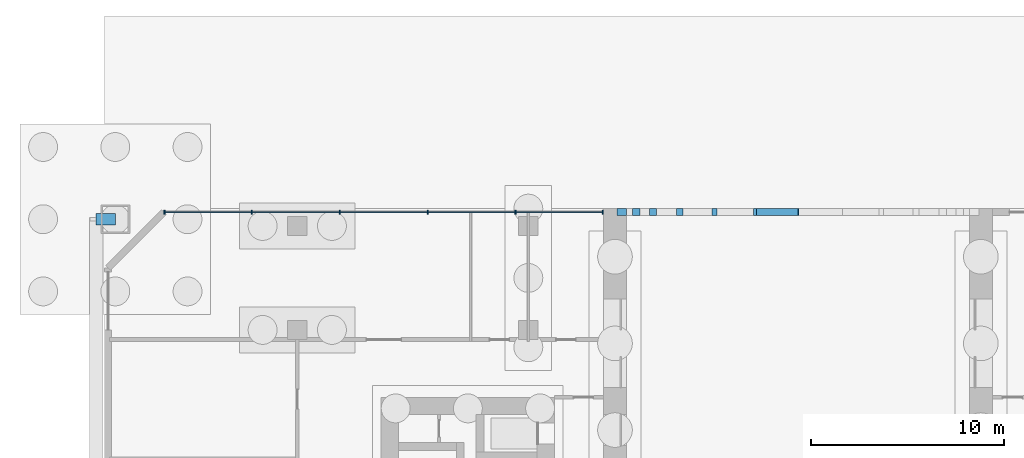
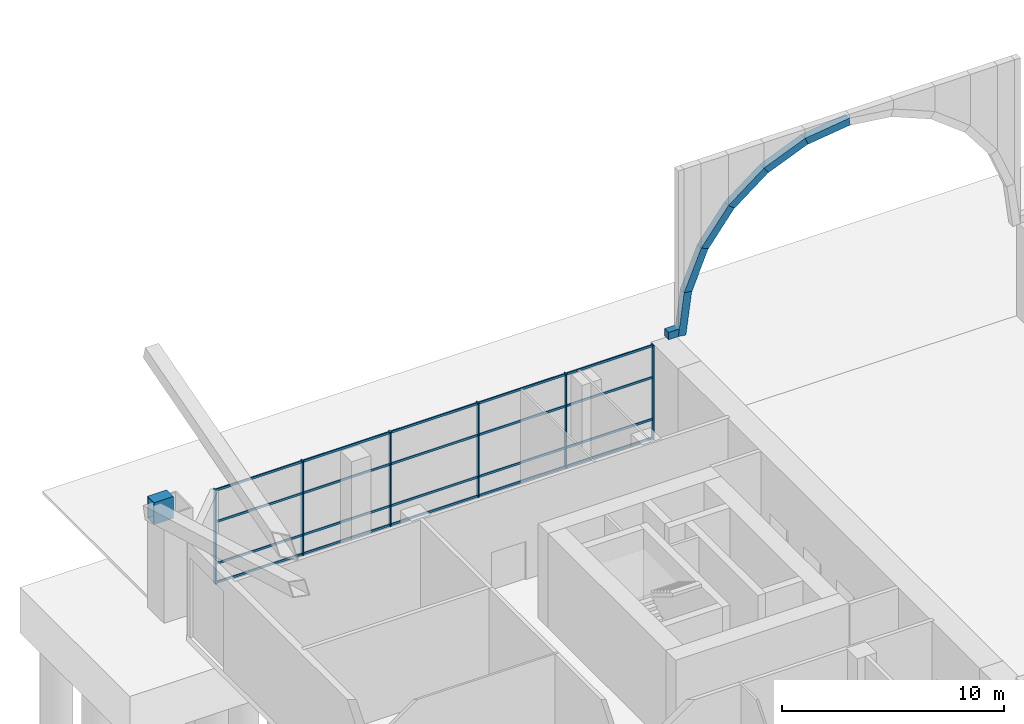
# One storey, part 6 of 26: 26 members, 8 beams, 1 element without a shape of its own.
"""IFC4 building model written with IfcOpenShell, lengths in metres."""

from ifc_helpers import new_model, si_unit, direction, frame, origin, origin_2d, place, context, subcontext, project, spatial, rectangle, hollow_rectangle, extrude, material, material_profile, profile_set, type_object, element, aggregate, save


model = new_model("IFC4")

# Units and contexts
model_context = context("Model", 3, precision=1e-05, world=origin(), true_north=direction((0.0, 1.0)))
body_context = subcontext(model_context, "Body", "Model", "MODEL_VIEW")
ifc_project = project(units=[si_unit("LENGTHUNIT", "METRE"), si_unit("AREAUNIT", "SQUARE_METRE"), si_unit("VOLUMEUNIT", "CUBIC_METRE"), si_unit("PLANEANGLEUNIT", "RADIAN"), si_unit("MASSUNIT", "GRAM", prefix="KILO")], contexts=[model_context])

# Site, building, storey
site_placement = place(None, origin())
site = spatial("IfcSite", under=ifc_project, at=site_placement, CompositionType="ELEMENT")
building_placement = place(site_placement, origin())
building = spatial("IfcBuilding", under=site, at=building_placement, Name="Tuart Gate Housing", CompositionType="ELEMENT")
storey_placement = place(building_placement, origin())
storey = spatial("IfcBuildingStorey", under=building, at=storey_placement, Name="L00", CompositionType="ELEMENT", Elevation=0.0)

# Beam
ifc_material_1 = material(Name="Steel Grade 350", Category="steel")
ifc_material_profile_1 = material_profile(ifc_material_1, hollow_rectangle(XDim=0.60009765625, YDim=1.199951171875, WallThickness=0.0400390625, at=origin_2d()), Name="BOX 1200x600x40")
ifc_profile_set_1 = profile_set([ifc_material_profile_1], Name="Steel Grade 350")
beam_type_1 = type_object("IfcBeamType", Name="Brace shoe BOX 1200x600x40", PredefinedType="BEAM", material=ifc_profile_set_1)
beam_1_placement = place(storey_placement, frame((18.550048828125, 85.449951171875, 5.5), z_axis=(-1.0, 0.0, 0.0), x_axis=(0.0, -1.0, 0.0)))
element("IfcBeam", 1, at=beam_1_placement, inside=storey, type_object=beam_type_1, Name="Mega brace shoe A zone 0 west cross 2", PredefinedType="BEAM", context=body_context, shape_type="SweptSolid", body=[
    extrude(hollow_rectangle(XDim=0.60009765625, YDim=1.199951171875, WallThickness=0.0400390625, at=origin_2d()), origin(), (0.0, 0.0, 1.0), 1.0),
])

# Curtain wall, members
ifc_material_2 = material(Name="Aluminium and clear glass", Category="aluminium")
curtain_wall_type = type_object("IfcCurtainWallType", Name="Ground storey glazing", PredefinedType="USERDEFINED", material=ifc_material_2)
curtain_wall_placement = place(storey_placement, origin())
curtain_wall = element("IfcCurtainWall", 2, at=curtain_wall_placement, inside=storey, type_object=curtain_wall_type, Name="Ground storey glazing A-N L00", ObjectType="GROUND STOREY GLAZING", PredefinedType="USERDEFINED")
ifc_material_3 = material(Name="Anodised aluminium", Category="aluminium")
ifc_material_profile_2 = material_profile(ifc_material_3, rectangle(XDim=0.06005859375, YDim=0.199951171875, at=origin_2d()), Name="60x200")
ifc_profile_set_2 = profile_set([ifc_material_profile_2], Name="Anodised aluminium")
member_type_1 = type_object("IfcMemberType", Name="Mullion 60 x 200", PredefinedType="MULLION", material=ifc_profile_set_2)
member_1_placement = place(storey_placement, frame((43.8701171875, 85.820068359375, 0.0), z_axis=(0.0, 0.0, 1.0), x_axis=(-1.0, 0.0, 0.0)))
member_1 = element("IfcMember", 3, at=member_1_placement, type_object=member_type_1, Name="CW2 mullion 1", PredefinedType="MULLION", context=body_context, shape_type="SweptSolid", body=[
    extrude(rectangle(XDim=0.06005859375, YDim=0.199951171875, at=origin_2d()), origin(), (0.0, 0.0, 1.0), 5.199951171875),
])
member_2_placement = place(storey_placement, frame((39.3349609375, 85.820068359375, 0.0), z_axis=(0.0, 0.0, 1.0), x_axis=(-1.0, 0.0, 0.0)))
member_2 = element("IfcMember", 4, at=member_2_placement, type_object=member_type_1, Name="CW2 mullion 2", PredefinedType="MULLION", context=body_context, shape_type="SweptSolid", body=[
    extrude(rectangle(XDim=0.06005859375, YDim=0.199951171875, at=origin_2d()), origin(), (0.0, 0.0, 1.0), 5.199951171875),
])
member_3_placement = place(storey_placement, frame((34.769775390625, 85.820068359375, 0.0), z_axis=(0.0, 0.0, 1.0), x_axis=(-1.0, 0.0, 0.0)))
member_3 = element("IfcMember", 5, at=member_3_placement, type_object=member_type_1, Name="CW2 mullion 3", PredefinedType="MULLION", context=body_context, shape_type="SweptSolid", body=[
    extrude(rectangle(XDim=0.06005859375, YDim=0.199951171875, at=origin_2d()), origin(), (0.0, 0.0, 1.0), 5.199951171875),
])
member_4_placement = place(storey_placement, frame((30.20458984375, 85.820068359375, 0.0), z_axis=(0.0, 0.0, 1.0), x_axis=(-1.0, 0.0, 0.0)))
member_4 = element("IfcMember", 6, at=member_4_placement, type_object=member_type_1, Name="CW2 mullion 4", PredefinedType="MULLION", context=body_context, shape_type="SweptSolid", body=[
    extrude(rectangle(XDim=0.06005859375, YDim=0.199951171875, at=origin_2d()), origin(), (0.0, 0.0, 1.0), 5.199951171875),
])
member_5_placement = place(storey_placement, frame((25.6396484375, 85.820068359375, 0.0), z_axis=(0.0, 0.0, 1.0), x_axis=(-1.0, 0.0, 0.0)))
member_5 = element("IfcMember", 7, at=member_5_placement, type_object=member_type_1, Name="CW2 mullion 5", PredefinedType="MULLION", context=body_context, shape_type="SweptSolid", body=[
    extrude(rectangle(XDim=0.06005859375, YDim=0.199951171875, at=origin_2d()), origin(), (0.0, 0.0, 1.0), 5.199951171875),
])
member_6_placement = place(storey_placement, frame((21.1044921875, 85.820068359375, 0.0), z_axis=(0.0, 0.0, 1.0), x_axis=(-1.0, 0.0, 0.0)))
member_6 = element("IfcMember", 8, at=member_6_placement, type_object=member_type_1, Name="CW2 mullion 6", PredefinedType="MULLION", context=body_context, shape_type="SweptSolid", body=[
    extrude(rectangle(XDim=0.06005859375, YDim=0.199951171875, at=origin_2d()), origin(), (0.0, 0.0, 1.0), 5.199951171875),
])

# Beams
ifc_material_4 = material(Name="Concrete C50", Category="concrete")
ifc_material_profile_3 = material_profile(ifc_material_4, rectangle(XDim=0.360107421875, YDim=0.39990234375, at=origin_2d()), Name="RC arch ring 360 x 400")
ifc_profile_set_3 = profile_set([ifc_material_profile_3], Name="Concrete C50")
beam_type_2 = type_object("IfcBeamType", Name="RC arch ring 360 x 400", PredefinedType="BEAM", material=ifc_profile_set_3)
for number, where, z_axis, x_axis, name in (
    (9, (45.29833984375, 85.820068359375, 5.27392578125), (0.130511595593, 0.0, 0.991446782947), (0.0, 1.0, 0.0), "Arch rib beam AN segment 0"),
    (10, (45.587890625, 85.820068359375, 7.527099609375), (0.382704452476, 0.0, 0.923870825416), (0.0, 1.0, 0.0), "Arch rib beam AN segment 1"),
):
    element("IfcBeam", number, at=place(storey_placement, frame(where, z_axis=z_axis, x_axis=x_axis)), inside=storey, type_object=beam_type_2, Name=name, PredefinedType="BEAM", context=body_context, shape_type="SweptSolid", body=[
        extrude(rectangle(XDim=0.360107421875, YDim=0.39990234375, at=origin_2d()), origin(), (0.0, 0.0, 1.0), 2.3232421875),
    ])
for number, where, z_axis, x_axis, name in (
    (11, (46.450927734375, 85.820068359375, 9.628173828125), (0.608806482168, 0.0, 0.793318767754), (0.0, 1.0, 0.0), "Arch rib beam AN segment 2"),
    (12, (47.82861328125, 85.820068359375, 11.4345703125), (0.793318767754, 0.0, 0.608806482168), (0.0, 1.0, 0.0), "Arch rib beam AN segment 3"),
):
    element("IfcBeam", number, at=place(storey_placement, frame(where, z_axis=z_axis, x_axis=x_axis)), inside=storey, type_object=beam_type_2, Name=name, PredefinedType="BEAM", context=body_context, shape_type="SweptSolid", body=[
        extrude(rectangle(XDim=0.360107421875, YDim=0.39990234375, at=origin_2d()), origin(), (0.0, 0.0, 1.0), 2.323486328125),
    ])
for number, where, z_axis, x_axis, name in (
    (13, (49.62646484375, 85.820068359375, 12.822998046875), (0.923907975937, 0.0, 0.382614756641), (0.0, 1.0, 0.0), "Arch rib beam AN segment 4"),
    (14, (51.72265625, 85.820068359375, 13.698486328125), (0.991446782947, 0.0, 0.130511595593), (0.0, 1.0, 0.0), "Arch rib beam AN segment 5"),
):
    element("IfcBeam", number, at=place(storey_placement, frame(where, z_axis=z_axis, x_axis=x_axis)), inside=storey, type_object=beam_type_2, Name=name, PredefinedType="BEAM", context=body_context, shape_type="SweptSolid", body=[
        extrude(rectangle(XDim=0.360107421875, YDim=0.39990234375, at=origin_2d()), origin(), (0.0, 0.0, 1.0), 2.3232421875),
    ])
beam_2_placement = place(storey_placement, frame((44.60009765625, 85.820068359375, 5.5), z_axis=(1.0, 0.0, 0.0), x_axis=(0.0, 1.0, 0.0)))
element("IfcBeam", 15, at=beam_2_placement, inside=storey, type_object=beam_type_2, Name="Arch seat beam AN west", PredefinedType="BEAM", context=body_context, shape_type="SweptSolid", body=[
    extrude(rectangle(XDim=0.360107421875, YDim=0.39990234375, at=origin_2d()), origin(), (0.0, 0.0, 1.0), 0.849853515625),
])

# Member
ifc_material_5 = material(Name="Anodised aluminium", Category="aluminium")
ifc_material_profile_4 = material_profile(ifc_material_5, rectangle(XDim=0.06005859375, YDim=0.1201171875, at=origin_2d()), Name="60x120")
ifc_profile_set_4 = profile_set([ifc_material_profile_4], Name="Anodised aluminium")
member_type_2 = type_object("IfcMemberType", Name="Transom 60 x 120", PredefinedType="USERDEFINED", material=ifc_profile_set_4)
member_7_placement = place(storey_placement, frame((43.840087890625, 85.820068359375, 0.06005859375), z_axis=(-1.0, 0.0, 0.0), x_axis=(0.0, -1.0, 0.0)))
member_7 = element("IfcMember", 16, at=member_7_placement, type_object=member_type_2, Name="CW2 transom 1.1", ObjectType="TRANSOM", PredefinedType="USERDEFINED", context=body_context, shape_type="SweptSolid", body=[
    extrude(rectangle(XDim=0.06005859375, YDim=0.1201171875, at=origin_2d()), origin(), (0.0, 0.0, 1.0), 4.47509765625),
])

member_8_placement = place(storey_placement, frame((43.840087890625, 85.820068359375, 1.10009765625), z_axis=(-1.0, 0.0, 0.0), x_axis=(0.0, -1.0, 0.0)))
member_8 = element("IfcMember", 17, at=member_8_placement, type_object=member_type_2, Name="CW2 transom 1.2", ObjectType="TRANSOM", PredefinedType="USERDEFINED", context=body_context, shape_type="SweptSolid", body=[
    extrude(rectangle(XDim=0.06005859375, YDim=0.1201171875, at=origin_2d()), origin(), (0.0, 0.0, 1.0), 4.47509765625),
])

member_9_placement = place(storey_placement, frame((43.840087890625, 85.820068359375, 3.39990234375), z_axis=(-1.0, 0.0, 0.0), x_axis=(0.0, -1.0, 0.0)))
member_9 = element("IfcMember", 18, at=member_9_placement, type_object=member_type_2, Name="CW2 transom 1.3", ObjectType="TRANSOM", PredefinedType="USERDEFINED", context=body_context, shape_type="SweptSolid", body=[
    extrude(rectangle(XDim=0.06005859375, YDim=0.1201171875, at=origin_2d()), origin(), (0.0, 0.0, 1.0), 4.47509765625),
])

member_10_placement = place(storey_placement, frame((43.840087890625, 85.820068359375, 5.139892578125), z_axis=(-1.0, 0.0, 0.0), x_axis=(0.0, -1.0, 0.0)))
member_10 = element("IfcMember", 19, at=member_10_placement, type_object=member_type_2, Name="CW2 transom 1.4", ObjectType="TRANSOM", PredefinedType="USERDEFINED", context=body_context, shape_type="SweptSolid", body=[
    extrude(rectangle(XDim=0.06005859375, YDim=0.1201171875, at=origin_2d()), origin(), (0.0, 0.0, 1.0), 4.47509765625),
])

member_11_placement = place(storey_placement, frame((39.304931640625, 85.820068359375, 0.06005859375), z_axis=(-1.0, 0.0, 0.0), x_axis=(0.0, -1.0, 0.0)))
member_11 = element("IfcMember", 20, at=member_11_placement, type_object=member_type_2, Name="CW2 transom 2.1", ObjectType="TRANSOM", PredefinedType="USERDEFINED", context=body_context, shape_type="SweptSolid", body=[
    extrude(rectangle(XDim=0.06005859375, YDim=0.1201171875, at=origin_2d()), origin(), (0.0, 0.0, 1.0), 4.505126953125),
])

member_12_placement = place(storey_placement, frame((39.304931640625, 85.820068359375, 1.10009765625), z_axis=(-1.0, 0.0, 0.0), x_axis=(0.0, -1.0, 0.0)))
member_12 = element("IfcMember", 21, at=member_12_placement, type_object=member_type_2, Name="CW2 transom 2.2", ObjectType="TRANSOM", PredefinedType="USERDEFINED", context=body_context, shape_type="SweptSolid", body=[
    extrude(rectangle(XDim=0.06005859375, YDim=0.1201171875, at=origin_2d()), origin(), (0.0, 0.0, 1.0), 4.505126953125),
])

member_13_placement = place(storey_placement, frame((39.304931640625, 85.820068359375, 3.39990234375), z_axis=(-1.0, 0.0, 0.0), x_axis=(0.0, -1.0, 0.0)))
member_13 = element("IfcMember", 22, at=member_13_placement, type_object=member_type_2, Name="CW2 transom 2.3", ObjectType="TRANSOM", PredefinedType="USERDEFINED", context=body_context, shape_type="SweptSolid", body=[
    extrude(rectangle(XDim=0.06005859375, YDim=0.1201171875, at=origin_2d()), origin(), (0.0, 0.0, 1.0), 4.505126953125),
])

member_14_placement = place(storey_placement, frame((39.304931640625, 85.820068359375, 5.139892578125), z_axis=(-1.0, 0.0, 0.0), x_axis=(0.0, -1.0, 0.0)))
member_14 = element("IfcMember", 23, at=member_14_placement, type_object=member_type_2, Name="CW2 transom 2.4", ObjectType="TRANSOM", PredefinedType="USERDEFINED", context=body_context, shape_type="SweptSolid", body=[
    extrude(rectangle(XDim=0.06005859375, YDim=0.1201171875, at=origin_2d()), origin(), (0.0, 0.0, 1.0), 4.505126953125),
])

member_15_placement = place(storey_placement, frame((34.73974609375, 85.820068359375, 0.06005859375), z_axis=(-1.0, 0.0, 0.0), x_axis=(0.0, -1.0, 0.0)))
member_15 = element("IfcMember", 24, at=member_15_placement, type_object=member_type_2, Name="CW2 transom 3.1", ObjectType="TRANSOM", PredefinedType="USERDEFINED", context=body_context, shape_type="SweptSolid", body=[
    extrude(rectangle(XDim=0.06005859375, YDim=0.1201171875, at=origin_2d()), origin(), (0.0, 0.0, 1.0), 4.505126953125),
])

member_16_placement = place(storey_placement, frame((34.73974609375, 85.820068359375, 1.10009765625), z_axis=(-1.0, 0.0, 0.0), x_axis=(0.0, -1.0, 0.0)))
member_16 = element("IfcMember", 25, at=member_16_placement, type_object=member_type_2, Name="CW2 transom 3.2", ObjectType="TRANSOM", PredefinedType="USERDEFINED", context=body_context, shape_type="SweptSolid", body=[
    extrude(rectangle(XDim=0.06005859375, YDim=0.1201171875, at=origin_2d()), origin(), (0.0, 0.0, 1.0), 4.505126953125),
])

member_17_placement = place(storey_placement, frame((34.73974609375, 85.820068359375, 3.39990234375), z_axis=(-1.0, 0.0, 0.0), x_axis=(0.0, -1.0, 0.0)))
member_17 = element("IfcMember", 26, at=member_17_placement, type_object=member_type_2, Name="CW2 transom 3.3", ObjectType="TRANSOM", PredefinedType="USERDEFINED", context=body_context, shape_type="SweptSolid", body=[
    extrude(rectangle(XDim=0.06005859375, YDim=0.1201171875, at=origin_2d()), origin(), (0.0, 0.0, 1.0), 4.505126953125),
])

member_18_placement = place(storey_placement, frame((34.73974609375, 85.820068359375, 5.139892578125), z_axis=(-1.0, 0.0, 0.0), x_axis=(0.0, -1.0, 0.0)))
member_18 = element("IfcMember", 27, at=member_18_placement, type_object=member_type_2, Name="CW2 transom 3.4", ObjectType="TRANSOM", PredefinedType="USERDEFINED", context=body_context, shape_type="SweptSolid", body=[
    extrude(rectangle(XDim=0.06005859375, YDim=0.1201171875, at=origin_2d()), origin(), (0.0, 0.0, 1.0), 4.505126953125),
])

member_19_placement = place(storey_placement, frame((30.1748046875, 85.820068359375, 0.06005859375), z_axis=(-1.0, 0.0, 0.0), x_axis=(0.0, -1.0, 0.0)))
member_19 = element("IfcMember", 28, at=member_19_placement, type_object=member_type_2, Name="CW2 transom 4.1", ObjectType="TRANSOM", PredefinedType="USERDEFINED", context=body_context, shape_type="SweptSolid", body=[
    extrude(rectangle(XDim=0.06005859375, YDim=0.1201171875, at=origin_2d()), origin(), (0.0, 0.0, 1.0), 4.505126953125),
])

member_20_placement = place(storey_placement, frame((30.1748046875, 85.820068359375, 1.10009765625), z_axis=(-1.0, 0.0, 0.0), x_axis=(0.0, -1.0, 0.0)))
member_20 = element("IfcMember", 29, at=member_20_placement, type_object=member_type_2, Name="CW2 transom 4.2", ObjectType="TRANSOM", PredefinedType="USERDEFINED", context=body_context, shape_type="SweptSolid", body=[
    extrude(rectangle(XDim=0.06005859375, YDim=0.1201171875, at=origin_2d()), origin(), (0.0, 0.0, 1.0), 4.505126953125),
])

member_21_placement = place(storey_placement, frame((30.1748046875, 85.820068359375, 3.39990234375), z_axis=(-1.0, 0.0, 0.0), x_axis=(0.0, -1.0, 0.0)))
member_21 = element("IfcMember", 30, at=member_21_placement, type_object=member_type_2, Name="CW2 transom 4.3", ObjectType="TRANSOM", PredefinedType="USERDEFINED", context=body_context, shape_type="SweptSolid", body=[
    extrude(rectangle(XDim=0.06005859375, YDim=0.1201171875, at=origin_2d()), origin(), (0.0, 0.0, 1.0), 4.505126953125),
])

member_22_placement = place(storey_placement, frame((30.1748046875, 85.820068359375, 5.139892578125), z_axis=(-1.0, 0.0, 0.0), x_axis=(0.0, -1.0, 0.0)))
member_22 = element("IfcMember", 31, at=member_22_placement, type_object=member_type_2, Name="CW2 transom 4.4", ObjectType="TRANSOM", PredefinedType="USERDEFINED", context=body_context, shape_type="SweptSolid", body=[
    extrude(rectangle(XDim=0.06005859375, YDim=0.1201171875, at=origin_2d()), origin(), (0.0, 0.0, 1.0), 4.505126953125),
])

member_23_placement = place(storey_placement, frame((25.609619140625, 85.820068359375, 0.06005859375), z_axis=(-1.0, 0.0, 0.0), x_axis=(0.0, -1.0, 0.0)))
member_23 = element("IfcMember", 32, at=member_23_placement, type_object=member_type_2, Name="CW2 transom 5.1", ObjectType="TRANSOM", PredefinedType="USERDEFINED", context=body_context, shape_type="SweptSolid", body=[
    extrude(rectangle(XDim=0.06005859375, YDim=0.1201171875, at=origin_2d()), origin(), (0.0, 0.0, 1.0), 4.47509765625),
])

member_24_placement = place(storey_placement, frame((25.609619140625, 85.820068359375, 1.10009765625), z_axis=(-1.0, 0.0, 0.0), x_axis=(0.0, -1.0, 0.0)))
member_24 = element("IfcMember", 33, at=member_24_placement, type_object=member_type_2, Name="CW2 transom 5.2", ObjectType="TRANSOM", PredefinedType="USERDEFINED", context=body_context, shape_type="SweptSolid", body=[
    extrude(rectangle(XDim=0.06005859375, YDim=0.1201171875, at=origin_2d()), origin(), (0.0, 0.0, 1.0), 4.47509765625),
])

member_25_placement = place(storey_placement, frame((25.609619140625, 85.820068359375, 3.39990234375), z_axis=(-1.0, 0.0, 0.0), x_axis=(0.0, -1.0, 0.0)))
member_25 = element("IfcMember", 34, at=member_25_placement, type_object=member_type_2, Name="CW2 transom 5.3", ObjectType="TRANSOM", PredefinedType="USERDEFINED", context=body_context, shape_type="SweptSolid", body=[
    extrude(rectangle(XDim=0.06005859375, YDim=0.1201171875, at=origin_2d()), origin(), (0.0, 0.0, 1.0), 4.47509765625),
])

member_26_placement = place(storey_placement, frame((25.609619140625, 85.820068359375, 5.139892578125), z_axis=(-1.0, 0.0, 0.0), x_axis=(0.0, -1.0, 0.0)))
member_26 = element("IfcMember", 35, at=member_26_placement, type_object=member_type_2, Name="CW2 transom 5.4", ObjectType="TRANSOM", PredefinedType="USERDEFINED", context=body_context, shape_type="SweptSolid", body=[
    extrude(rectangle(XDim=0.06005859375, YDim=0.1201171875, at=origin_2d()), origin(), (0.0, 0.0, 1.0), 4.47509765625),
])

aggregate(curtain_wall, [member_1, member_2, member_3, member_4, member_5, member_6, member_7, member_8, member_9, member_10, member_11, member_12, member_13, member_14, member_15, member_16, member_17, member_18, member_19, member_20, member_21, member_22, member_23, member_24, member_25, member_26])

save(model, "model.ifc")
